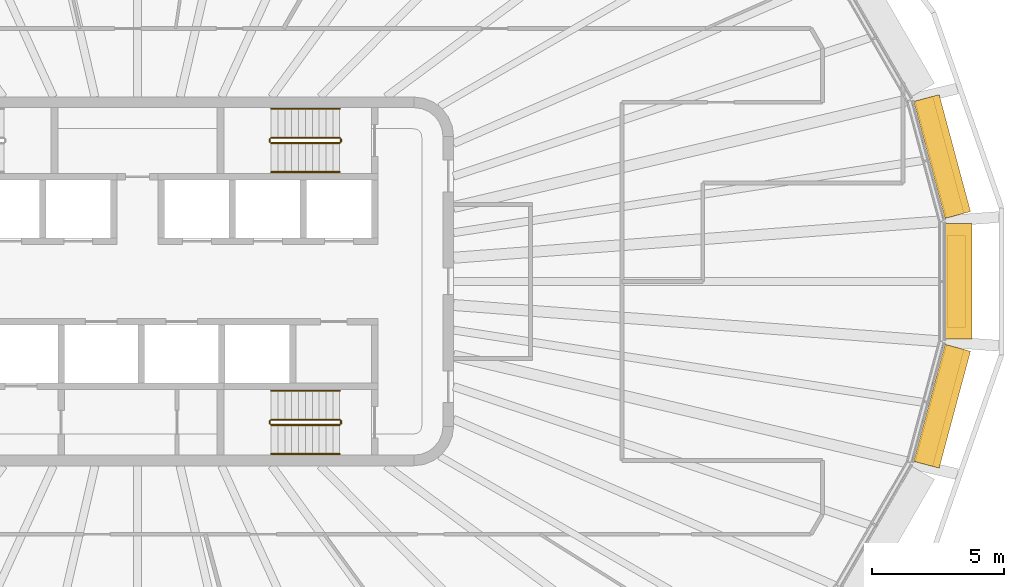
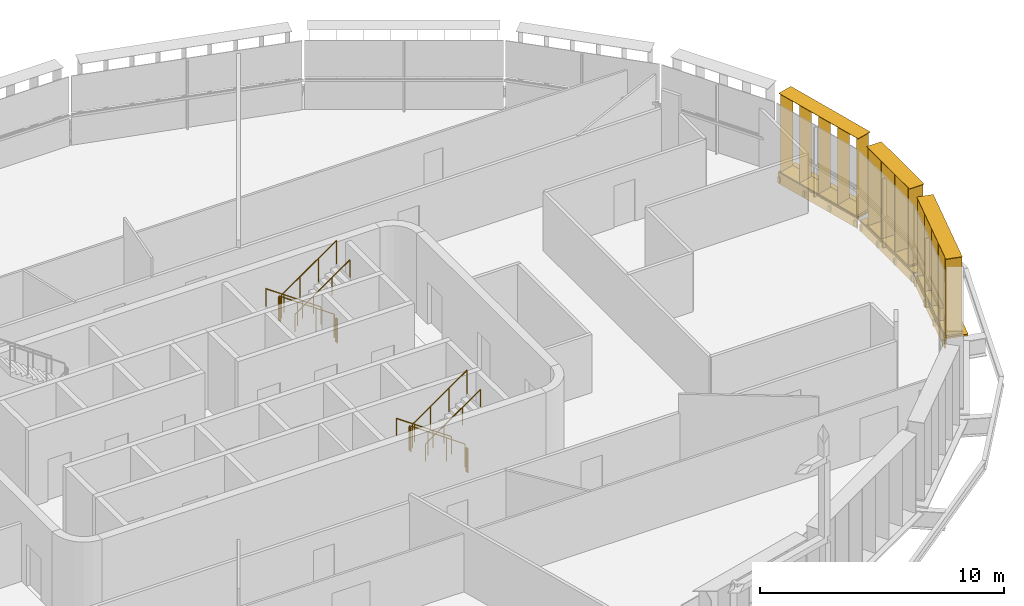
# One storey, part 19 of 20: 12 railings, 6 shading devices.
"""IFC4 building model written with IfcOpenShell, lengths in metres."""

from ifc_helpers import new_model, si_unit, direction, frame, origin, origin_2d, place, context, subcontext, project, spatial, rectangle, circle, extrude, material, type_object, element, save


model = new_model("IFC4")

# Units and contexts
model_context = context("Model", 3, precision=1e-05, world=origin(), true_north=direction((0.0, 1.0)))
body_context = subcontext(model_context, "Body", "Model", "MODEL_VIEW")
ifc_project = project(units=[si_unit("LENGTHUNIT", "METRE"), si_unit("AREAUNIT", "SQUARE_METRE"), si_unit("VOLUMEUNIT", "CUBIC_METRE"), si_unit("PLANEANGLEUNIT", "RADIAN"), si_unit("MASSUNIT", "GRAM", prefix="KILO")], contexts=[model_context])

# Site, building, storey
site_placement = place(None, origin())
site = spatial("IfcSite", under=ifc_project, at=site_placement, CompositionType="ELEMENT")
building_placement = place(site_placement, origin())
building = spatial("IfcBuilding", under=site, at=building_placement, Name="Sahrelin Media Tower", CompositionType="ELEMENT")
storey_placement = place(building_placement, frame((0.0, 0.0, 209.60009765625)))
storey = spatial("IfcBuildingStorey", under=building, at=storey_placement, Name="L44", CompositionType="ELEMENT", Elevation=209.60009765625)

# Shading devices
ifc_material_1 = material(Name="Champagne anodised aluminium 6063-T6", Category="aluminium")
shading_device_type_1 = type_object("IfcShadingDeviceType", Name="Fin cassette", PredefinedType="USERDEFINED", material=ifc_material_1)
placement_1 = place(storey_placement, frame((30.665283203125, 0.0, 0.0), z_axis=(0.0, 0.0, 1.0), x_axis=(0.0, -1.0, 0.0)))
element("IfcShadingDevice", 1, at=placement_1, inside=storey, type_object=shading_device_type_1, Name="L44:FIN:L44-00", ObjectType="FIN", PredefinedType="USERDEFINED", context=body_context, shape_type="SweptSolid", body=[
    extrude(rectangle(XDim=3.5, YDim=0.699951171875, at=origin_2d()), frame((0.0, 0.419921875, 0.0)), (0.0, 0.0, 1.0), 0.02001953125),
    extrude(rectangle(XDim=3.5, YDim=0.699951171875, at=origin_2d()), frame((0.0, 0.419921875, 3.89990234375)), (0.0, 0.0, 1.0), 0.02001953125),
    extrude(rectangle(XDim=0.02001953125, YDim=0.699951171875, at=origin_2d()), frame((-1.64990234375, 0.419921875, 0.010009765625), z_axis=(0.0, 0.0, 1.0), x_axis=(1.0, 0.0, 0.0)), (0.0, 0.0, 1.0), 3.89990234375),
    extrude(rectangle(XDim=0.02001953125, YDim=0.699951171875, at=origin_2d()), frame((-0.550048828125, 0.419921875, 0.010009765625), z_axis=(0.0, 0.0, 1.0), x_axis=(1.0, 0.0, 0.0)), (0.0, 0.0, 1.0), 3.89990234375),
    extrude(rectangle(XDim=0.02001953125, YDim=0.699951171875, at=origin_2d()), frame((0.550048828125, 0.419921875, 0.010009765625), z_axis=(0.0, 0.0, 1.0), x_axis=(1.0, 0.0, 0.0)), (0.0, 0.0, 1.0), 3.89990234375),
    extrude(rectangle(XDim=0.02001953125, YDim=0.699951171875, at=origin_2d()), frame((1.64990234375, 0.419921875, 0.010009765625), z_axis=(0.0, 0.0, 1.0), x_axis=(1.0, 0.0, 0.0)), (0.0, 0.0, 1.0), 3.89990234375),
])
placement_2 = place(storey_placement, frame((30.045166015625, 4.606201171875, 0.0), z_axis=(0.0, 0.0, 1.0), x_axis=(0.258807731996, -0.965928857556, 0.0)))
element("IfcShadingDevice", 2, at=placement_2, inside=storey, type_object=shading_device_type_1, Name="L44:FIN:L44-01", ObjectType="FIN", PredefinedType="USERDEFINED", context=body_context, shape_type="SweptSolid", body=[
    extrude(rectangle(XDim=4.60009765625, YDim=0.699951171875, at=origin_2d()), frame((0.0, 0.419921875, 0.0)), (0.0, 0.0, 1.0), 0.02001953125),
    extrude(rectangle(XDim=4.60009765625, YDim=0.699951171875, at=origin_2d()), frame((0.0, 0.419921875, 3.89990234375)), (0.0, 0.0, 1.0), 0.02001953125),
    extrude(rectangle(XDim=0.02001953125, YDim=0.699951171875, at=origin_2d()), frame((-2.199951171875, 0.419921875, 0.010009765625), z_axis=(0.0, 0.0, 1.0), x_axis=(1.0, 0.0, 0.0)), (0.0, 0.0, 1.0), 3.89990234375),
    extrude(rectangle(XDim=0.02001953125, YDim=0.699951171875, at=origin_2d()), frame((-1.10009765625, 0.419921875, 0.010009765625), z_axis=(0.0, 0.0, 1.0), x_axis=(1.0, 0.0, 0.0)), (0.0, 0.0, 1.0), 3.89990234375),
    extrude(rectangle(XDim=0.02001953125, YDim=0.699951171875, at=origin_2d()), frame((0.0, 0.419921875, 0.010009765625), z_axis=(0.0, 0.0, 1.0), x_axis=(1.0, 0.0, 0.0)), (0.0, 0.0, 1.0), 3.89990234375),
    extrude(rectangle(XDim=0.02001953125, YDim=0.699951171875, at=origin_2d()), frame((1.10009765625, 0.419921875, 0.010009765625), z_axis=(0.0, 0.0, 1.0), x_axis=(1.0, 0.0, 0.0)), (0.0, 0.0, 1.0), 3.89990234375),
    extrude(rectangle(XDim=0.02001953125, YDim=0.699951171875, at=origin_2d()), frame((2.199951171875, 0.419921875, 0.010009765625), z_axis=(0.0, 0.0, 1.0), x_axis=(1.0, 0.0, 0.0)), (0.0, 0.0, 1.0), 3.89990234375),
])
placement_3 = place(storey_placement, frame((30.045166015625, -4.606201171875, 0.0), z_axis=(0.0, 0.0, 1.0), x_axis=(-0.258807731996, -0.965928857556, 0.0)))
element("IfcShadingDevice", 3, at=placement_3, inside=storey, type_object=shading_device_type_1, Name="L44:FIN:L44-23", ObjectType="FIN", PredefinedType="USERDEFINED", context=body_context, shape_type="SweptSolid", body=[
    extrude(rectangle(XDim=4.60009765625, YDim=0.699951171875, at=origin_2d()), frame((0.0, 0.419921875, 0.0)), (0.0, 0.0, 1.0), 0.02001953125),
    extrude(rectangle(XDim=4.60009765625, YDim=0.699951171875, at=origin_2d()), frame((0.0, 0.419921875, 3.89990234375)), (0.0, 0.0, 1.0), 0.02001953125),
    extrude(rectangle(XDim=0.02001953125, YDim=0.699951171875, at=origin_2d()), frame((-2.199951171875, 0.419921875, 0.010009765625), z_axis=(0.0, 0.0, 1.0), x_axis=(1.0, 0.0, 0.0)), (0.0, 0.0, 1.0), 3.89990234375),
    extrude(rectangle(XDim=0.02001953125, YDim=0.699951171875, at=origin_2d()), frame((-1.10009765625, 0.419921875, 0.010009765625), z_axis=(0.0, 0.0, 1.0), x_axis=(1.0, 0.0, 0.0)), (0.0, 0.0, 1.0), 3.89990234375),
    extrude(rectangle(XDim=0.02001953125, YDim=0.699951171875, at=origin_2d()), frame((0.0, 0.419921875, 0.010009765625), z_axis=(0.0, 0.0, 1.0), x_axis=(1.0, 0.0, 0.0)), (0.0, 0.0, 1.0), 3.89990234375),
    extrude(rectangle(XDim=0.02001953125, YDim=0.699951171875, at=origin_2d()), frame((1.10009765625, 0.419921875, 0.010009765625), z_axis=(0.0, 0.0, 1.0), x_axis=(1.0, 0.0, 0.0)), (0.0, 0.0, 1.0), 3.89990234375),
    extrude(rectangle(XDim=0.02001953125, YDim=0.699951171875, at=origin_2d()), frame((2.199951171875, 0.419921875, 0.010009765625), z_axis=(0.0, 0.0, 1.0), x_axis=(1.0, 0.0, 0.0)), (0.0, 0.0, 1.0), 3.89990234375),
])

# Railings
ifc_material_2 = material(Name="Steel S355", Category="steel")
railing_type_1 = type_object("IfcRailingType", Name="Stair guard 1200", PredefinedType="GUARDRAIL", material=ifc_material_2)
railing_1_placement = place(storey_placement, frame((7.675048828125, 5.449951171875, 0.181640625)))
element("IfcRailing", 4, at=railing_1_placement, inside=storey, type_object=railing_type_1, Name="L44 ST3 stair guard 1", PredefinedType="GUARDRAIL", context=body_context, shape_type="SweptSolid", body=[
    extrude(circle(Radius=0.02392578125, at=origin_2d()), frame((0.0, 0.0, 1.17578125), z_axis=(-0.819484887739, 0.0, 0.573100792852), x_axis=(0.0, -1.0, 0.0)), (0.0, 0.0, 1.0), 3.1728515625),
    extrude(circle(Radius=0.02099609375, at=origin_2d()), origin(), (0.0, 0.0, 1.0), 1.15185546875),
    extrude(circle(Radius=0.02099609375, at=origin_2d()), frame((-0.86669921875, 0.0, 0.606201171875)), (0.0, 0.0, 1.0), 1.15185546875),
    extrude(circle(Radius=0.02099609375, at=origin_2d()), frame((-1.7333984375, 0.0, 1.212158203125)), (0.0, 0.0, 1.0), 1.15185546875),
    extrude(circle(Radius=0.02099609375, at=origin_2d()), frame((-2.60009765625, 0.0, 1.818359375)), (0.0, 0.0, 1.0), 1.15185546875),
])
railing_2_placement = place(storey_placement, frame((5.02490234375, 5.39990234375, 2.0)))
element("IfcRailing", 5, at=railing_2_placement, inside=storey, type_object=railing_type_1, Name="L44 ST3 stair guard 2", PredefinedType="GUARDRAIL", context=body_context, shape_type="SweptSolid", body=[
    extrude(circle(Radius=0.02392578125, at=origin_2d()), frame((0.0, 0.0, 1.17578125), z_axis=(0.0, -1.0, 0.0), x_axis=(1.0, 0.0, 0.0)), (0.0, 0.0, 1.0), 0.099853515625),
    extrude(circle(Radius=0.02099609375, at=origin_2d()), origin(), (0.0, 0.0, 1.0), 1.15185546875),
    extrude(circle(Radius=0.02099609375, at=origin_2d()), frame((0.0, -0.099853515625, 0.0)), (0.0, 0.0, 1.0), 1.15185546875),
])
railing_3_placement = place(storey_placement, frame((5.074951171875, 5.25, 2.181640625)))
element("IfcRailing", 6, at=railing_3_placement, inside=storey, type_object=railing_type_1, Name="L44 ST3 stair guard 3", PredefinedType="GUARDRAIL", context=body_context, shape_type="SweptSolid", body=[
    extrude(circle(Radius=0.02392578125, at=origin_2d()), frame((0.0, 0.0, 1.17578125), z_axis=(0.819484887739, 0.0, 0.573100792852), x_axis=(0.0, 1.0, 0.0)), (0.0, 0.0, 1.0), 3.1728515625),
    extrude(circle(Radius=0.02099609375, at=origin_2d()), origin(), (0.0, 0.0, 1.0), 1.15185546875),
    extrude(circle(Radius=0.02099609375, at=origin_2d()), frame((0.86669921875, 0.0, 0.606201171875)), (0.0, 0.0, 1.0), 1.15185546875),
    extrude(circle(Radius=0.02099609375, at=origin_2d()), frame((1.7333984375, 0.0, 1.212158203125)), (0.0, 0.0, 1.0), 1.15185546875),
    extrude(circle(Radius=0.02099609375, at=origin_2d()), frame((2.60009765625, 0.0, 1.818359375)), (0.0, 0.0, 1.0), 1.15185546875),
])
railing_4_placement = place(storey_placement, frame((7.72509765625, 5.39990234375, 0.0)))
element("IfcRailing", 7, at=railing_4_placement, inside=storey, type_object=railing_type_1, Name="L44 ST3 stair guard 4", PredefinedType="GUARDRAIL", context=body_context, shape_type="SweptSolid", body=[
    extrude(circle(Radius=0.02392578125, at=origin_2d()), frame((0.0, 0.0, 1.17578125), z_axis=(0.0, -1.0, 0.0), x_axis=(1.0, 0.0, 0.0)), (0.0, 0.0, 1.0), 0.099853515625),
    extrude(circle(Radius=0.02099609375, at=origin_2d()), origin(), (0.0, 0.0, 1.0), 1.15185546875),
    extrude(circle(Radius=0.02099609375, at=origin_2d()), frame((0.0, -0.099853515625, 0.0)), (0.0, 0.0, 1.0), 1.15185546875),
])
railing_5_placement = place(storey_placement, frame((7.675048828125, -5.25, 0.181640625)))
element("IfcRailing", 8, at=railing_5_placement, inside=storey, type_object=railing_type_1, Name="L44 ST2 stair guard 1", PredefinedType="GUARDRAIL", context=body_context, shape_type="SweptSolid", body=[
    extrude(circle(Radius=0.02392578125, at=origin_2d()), frame((0.0, 0.0, 1.17578125), z_axis=(-0.819484887739, 0.0, 0.573100792852), x_axis=(0.0, -1.0, 0.0)), (0.0, 0.0, 1.0), 3.1728515625),
    extrude(circle(Radius=0.02099609375, at=origin_2d()), origin(), (0.0, 0.0, 1.0), 1.15185546875),
    extrude(circle(Radius=0.02099609375, at=origin_2d()), frame((-0.86669921875, 0.0, 0.606201171875)), (0.0, 0.0, 1.0), 1.15185546875),
    extrude(circle(Radius=0.02099609375, at=origin_2d()), frame((-1.7333984375, 0.0, 1.212158203125)), (0.0, 0.0, 1.0), 1.15185546875),
    extrude(circle(Radius=0.02099609375, at=origin_2d()), frame((-2.60009765625, 0.0, 1.818359375)), (0.0, 0.0, 1.0), 1.15185546875),
])
railing_6_placement = place(storey_placement, frame((5.02490234375, -5.300048828125, 2.0)))
element("IfcRailing", 9, at=railing_6_placement, inside=storey, type_object=railing_type_1, Name="L44 ST2 stair guard 2", PredefinedType="GUARDRAIL", context=body_context, shape_type="SweptSolid", body=[
    extrude(circle(Radius=0.02392578125, at=origin_2d()), frame((0.0, 0.0, 1.17578125), z_axis=(0.0, -1.0, 0.0), x_axis=(1.0, 0.0, 0.0)), (0.0, 0.0, 1.0), 0.099853515625),
    extrude(circle(Radius=0.02099609375, at=origin_2d()), origin(), (0.0, 0.0, 1.0), 1.15185546875),
    extrude(circle(Radius=0.02099609375, at=origin_2d()), frame((0.0, -0.099853515625, 0.0)), (0.0, 0.0, 1.0), 1.15185546875),
])
railing_7_placement = place(storey_placement, frame((5.074951171875, -5.449951171875, 2.181640625)))
element("IfcRailing", 10, at=railing_7_placement, inside=storey, type_object=railing_type_1, Name="L44 ST2 stair guard 3", PredefinedType="GUARDRAIL", context=body_context, shape_type="SweptSolid", body=[
    extrude(circle(Radius=0.02392578125, at=origin_2d()), frame((0.0, 0.0, 1.17578125), z_axis=(0.819484887739, 0.0, 0.573100792852), x_axis=(0.0, 1.0, 0.0)), (0.0, 0.0, 1.0), 3.1728515625),
    extrude(circle(Radius=0.02099609375, at=origin_2d()), origin(), (0.0, 0.0, 1.0), 1.15185546875),
    extrude(circle(Radius=0.02099609375, at=origin_2d()), frame((0.86669921875, 0.0, 0.606201171875)), (0.0, 0.0, 1.0), 1.15185546875),
    extrude(circle(Radius=0.02099609375, at=origin_2d()), frame((1.7333984375, 0.0, 1.212158203125)), (0.0, 0.0, 1.0), 1.15185546875),
    extrude(circle(Radius=0.02099609375, at=origin_2d()), frame((2.60009765625, 0.0, 1.818359375)), (0.0, 0.0, 1.0), 1.15185546875),
])
railing_8_placement = place(storey_placement, frame((7.72509765625, -5.300048828125, 0.0)))
element("IfcRailing", 11, at=railing_8_placement, inside=storey, type_object=railing_type_1, Name="L44 ST2 stair guard 4", PredefinedType="GUARDRAIL", context=body_context, shape_type="SweptSolid", body=[
    extrude(circle(Radius=0.02392578125, at=origin_2d()), frame((0.0, 0.0, 1.17578125), z_axis=(0.0, -1.0, 0.0), x_axis=(1.0, 0.0, 0.0)), (0.0, 0.0, 1.0), 0.099853515625),
    extrude(circle(Radius=0.02099609375, at=origin_2d()), origin(), (0.0, 0.0, 1.0), 1.15185546875),
    extrude(circle(Radius=0.02099609375, at=origin_2d()), frame((0.0, -0.099853515625, 0.0)), (0.0, 0.0, 1.0), 1.15185546875),
])
railing_type_2 = type_object("IfcRailingType", Name="Stair handrail 900", PredefinedType="HANDRAIL", material=ifc_material_2)
railing_9_placement = place(storey_placement, frame((7.675048828125, 6.550048828125, 0.181640625)))
element("IfcRailing", 12, at=railing_9_placement, inside=storey, type_object=railing_type_2, Name="L44 ST3 stair handrail 1", PredefinedType="HANDRAIL", context=body_context, shape_type="SweptSolid", body=[
    extrude(circle(Radius=0.02392578125, at=origin_2d()), frame((0.0, 0.0, 0.8759765625), z_axis=(-0.819484887739, 0.0, 0.573100792852), x_axis=(0.0, -1.0, 0.0)), (0.0, 0.0, 1.0), 3.1728515625),
    extrude(circle(Radius=0.02099609375, at=origin_2d()), origin(), (0.0, 0.0, 1.0), 0.851806640625),
    extrude(circle(Radius=0.02099609375, at=origin_2d()), frame((-0.86669921875, 0.0, 0.606201171875)), (0.0, 0.0, 1.0), 0.851806640625),
    extrude(circle(Radius=0.02099609375, at=origin_2d()), frame((-1.7333984375, 0.0, 1.212158203125)), (0.0, 0.0, 1.0), 0.851806640625),
    extrude(circle(Radius=0.02099609375, at=origin_2d()), frame((-2.60009765625, 0.0, 1.818359375)), (0.0, 0.0, 1.0), 0.851806640625),
])
railing_10_placement = place(storey_placement, frame((5.074951171875, 4.14990234375, 2.181640625)))
element("IfcRailing", 13, at=railing_10_placement, inside=storey, type_object=railing_type_2, Name="L44 ST3 stair handrail 2", PredefinedType="HANDRAIL", context=body_context, shape_type="SweptSolid", body=[
    extrude(circle(Radius=0.02392578125, at=origin_2d()), frame((0.0, 0.0, 0.8759765625), z_axis=(0.819484887739, 0.0, 0.573100792852), x_axis=(0.0, 1.0, 0.0)), (0.0, 0.0, 1.0), 3.1728515625),
    extrude(circle(Radius=0.02099609375, at=origin_2d()), origin(), (0.0, 0.0, 1.0), 0.851806640625),
    extrude(circle(Radius=0.02099609375, at=origin_2d()), frame((0.86669921875, 0.0, 0.606201171875)), (0.0, 0.0, 1.0), 0.851806640625),
    extrude(circle(Radius=0.02099609375, at=origin_2d()), frame((1.7333984375, 0.0, 1.212158203125)), (0.0, 0.0, 1.0), 0.851806640625),
    extrude(circle(Radius=0.02099609375, at=origin_2d()), frame((2.60009765625, 0.0, 1.818359375)), (0.0, 0.0, 1.0), 0.851806640625),
])
railing_11_placement = place(storey_placement, frame((7.675048828125, -4.14990234375, 0.181640625)))
element("IfcRailing", 14, at=railing_11_placement, inside=storey, type_object=railing_type_2, Name="L44 ST2 stair handrail 1", PredefinedType="HANDRAIL", context=body_context, shape_type="SweptSolid", body=[
    extrude(circle(Radius=0.02392578125, at=origin_2d()), frame((0.0, 0.0, 0.8759765625), z_axis=(-0.819484887739, 0.0, 0.573100792852), x_axis=(0.0, -1.0, 0.0)), (0.0, 0.0, 1.0), 3.1728515625),
    extrude(circle(Radius=0.02099609375, at=origin_2d()), origin(), (0.0, 0.0, 1.0), 0.851806640625),
    extrude(circle(Radius=0.02099609375, at=origin_2d()), frame((-0.86669921875, 0.0, 0.606201171875)), (0.0, 0.0, 1.0), 0.851806640625),
    extrude(circle(Radius=0.02099609375, at=origin_2d()), frame((-1.7333984375, 0.0, 1.212158203125)), (0.0, 0.0, 1.0), 0.851806640625),
    extrude(circle(Radius=0.02099609375, at=origin_2d()), frame((-2.60009765625, 0.0, 1.818359375)), (0.0, 0.0, 1.0), 0.851806640625),
])
railing_12_placement = place(storey_placement, frame((5.074951171875, -6.550048828125, 2.181640625)))
element("IfcRailing", 15, at=railing_12_placement, inside=storey, type_object=railing_type_2, Name="L44 ST2 stair handrail 2", PredefinedType="HANDRAIL", context=body_context, shape_type="SweptSolid", body=[
    extrude(circle(Radius=0.02392578125, at=origin_2d()), frame((0.0, 0.0, 0.8759765625), z_axis=(0.819484887739, 0.0, 0.573100792852), x_axis=(0.0, 1.0, 0.0)), (0.0, 0.0, 1.0), 3.1728515625),
    extrude(circle(Radius=0.02099609375, at=origin_2d()), origin(), (0.0, 0.0, 1.0), 0.851806640625),
    extrude(circle(Radius=0.02099609375, at=origin_2d()), frame((0.86669921875, 0.0, 0.606201171875)), (0.0, 0.0, 1.0), 0.851806640625),
    extrude(circle(Radius=0.02099609375, at=origin_2d()), frame((1.7333984375, 0.0, 1.212158203125)), (0.0, 0.0, 1.0), 0.851806640625),
    extrude(circle(Radius=0.02099609375, at=origin_2d()), frame((2.60009765625, 0.0, 1.818359375)), (0.0, 0.0, 1.0), 0.851806640625),
])

# Shading devices
shading_device_type_2 = type_object("IfcShadingDeviceType", Name="Sunshade band", PredefinedType="USERDEFINED", material=ifc_material_1)
element("IfcShadingDevice", 16, at=placement_1, inside=storey, type_object=shading_device_type_2, Name="L44:SUN:L44-00", ObjectType="SUNSHADE", PredefinedType="USERDEFINED", context=body_context, shape_type="SweptSolid", body=[
    extrude(rectangle(XDim=4.3828125, YDim=0.050048828125, at=origin_2d()), frame((0.0, 0.044921875, -0.55126953125)), (0.0, 0.0, 1.0), 0.471435546875),
    extrude(rectangle(XDim=4.3828125, YDim=1.0, at=origin_2d()), frame((0.0, 0.52001953125, -0.080078125)), (0.0, 0.0, 1.0), 0.080078125),
    extrude(rectangle(XDim=0.10009765625, YDim=0.074951171875, at=origin_2d()), frame((-2.09130859375, -0.017578125, -0.47021484375)), (0.0, 0.0, 1.0), 0.300048828125),
    extrude(rectangle(XDim=0.10009765625, YDim=0.074951171875, at=origin_2d()), frame((-0.697021484375, -0.017578125, -0.47021484375)), (0.0, 0.0, 1.0), 0.300048828125),
    extrude(rectangle(XDim=0.10009765625, YDim=0.074951171875, at=origin_2d()), frame((0.697021484375, -0.017578125, -0.47021484375)), (0.0, 0.0, 1.0), 0.300048828125),
    extrude(rectangle(XDim=0.10009765625, YDim=0.074951171875, at=origin_2d()), frame((2.09130859375, -0.017578125, -0.47021484375)), (0.0, 0.0, 1.0), 0.300048828125),
])
element("IfcShadingDevice", 17, at=placement_2, inside=storey, type_object=shading_device_type_2, Name="L44:SUN:L44-01", ObjectType="SUNSHADE", PredefinedType="USERDEFINED", context=body_context, shape_type="SweptSolid", body=[
    extrude(rectangle(XDim=4.5927734375, YDim=0.050048828125, at=origin_2d()), frame((0.0, 0.044921875, -0.55126953125)), (0.0, 0.0, 1.0), 0.471435546875),
    extrude(rectangle(XDim=4.5927734375, YDim=1.0, at=origin_2d()), frame((0.0, 0.52001953125, -0.080078125)), (0.0, 0.0, 1.0), 0.080078125),
    extrude(rectangle(XDim=0.10009765625, YDim=0.074951171875, at=origin_2d()), frame((-2.1962890625, -0.017578125, -0.47021484375)), (0.0, 0.0, 1.0), 0.300048828125),
    extrude(rectangle(XDim=0.10009765625, YDim=0.074951171875, at=origin_2d()), frame((-0.732177734375, -0.017578125, -0.47021484375)), (0.0, 0.0, 1.0), 0.300048828125),
    extrude(rectangle(XDim=0.10009765625, YDim=0.074951171875, at=origin_2d()), frame((0.732177734375, -0.017578125, -0.47021484375)), (0.0, 0.0, 1.0), 0.300048828125),
    extrude(rectangle(XDim=0.10009765625, YDim=0.074951171875, at=origin_2d()), frame((2.1962890625, -0.017578125, -0.47021484375)), (0.0, 0.0, 1.0), 0.300048828125),
])
element("IfcShadingDevice", 18, at=placement_3, inside=storey, type_object=shading_device_type_2, Name="L44:SUN:L44-23", ObjectType="SUNSHADE", PredefinedType="USERDEFINED", context=body_context, shape_type="SweptSolid", body=[
    extrude(rectangle(XDim=4.5927734375, YDim=0.050048828125, at=origin_2d()), frame((0.0, 0.044921875, -0.55126953125)), (0.0, 0.0, 1.0), 0.471435546875),
    extrude(rectangle(XDim=4.5927734375, YDim=1.0, at=origin_2d()), frame((0.0, 0.52001953125, -0.080078125)), (0.0, 0.0, 1.0), 0.080078125),
    extrude(rectangle(XDim=0.10009765625, YDim=0.074951171875, at=origin_2d()), frame((-2.1962890625, -0.017578125, -0.47021484375)), (0.0, 0.0, 1.0), 0.300048828125),
    extrude(rectangle(XDim=0.10009765625, YDim=0.074951171875, at=origin_2d()), frame((-0.732177734375, -0.017578125, -0.47021484375)), (0.0, 0.0, 1.0), 0.300048828125),
    extrude(rectangle(XDim=0.10009765625, YDim=0.074951171875, at=origin_2d()), frame((0.732177734375, -0.017578125, -0.47021484375)), (0.0, 0.0, 1.0), 0.300048828125),
    extrude(rectangle(XDim=0.10009765625, YDim=0.074951171875, at=origin_2d()), frame((2.1962890625, -0.017578125, -0.47021484375)), (0.0, 0.0, 1.0), 0.300048828125),
])

save(model, "model.ifc")
